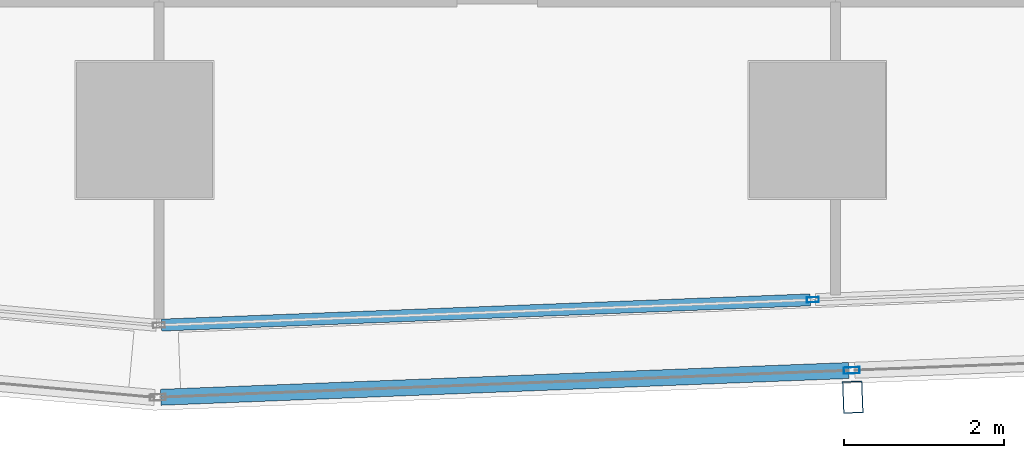
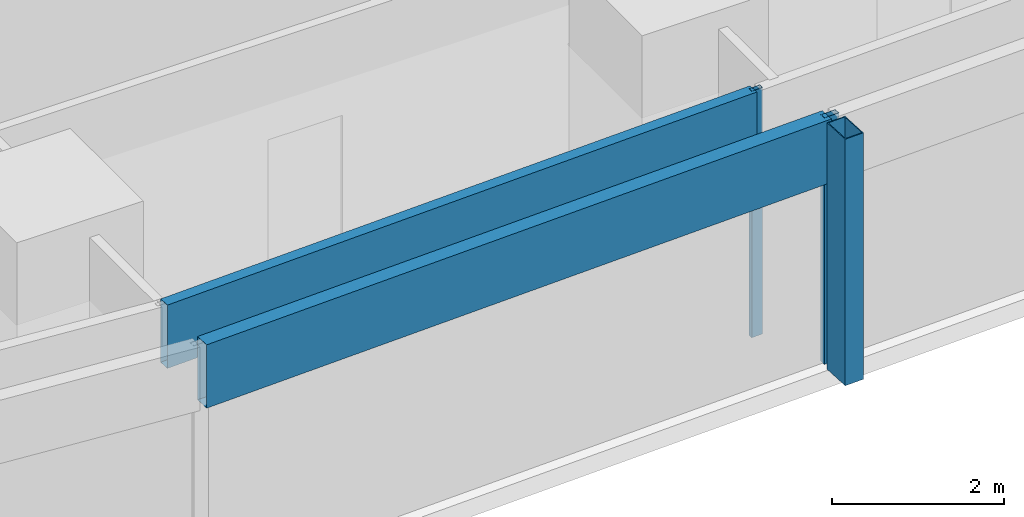
# One storey, part 6 of 40: 5 members, 2 elements without a shape of their own.
"""IFC4 building model written with IfcOpenShell, lengths in metres."""

from ifc_helpers import new_model, si_unit, direction, frame, origin, origin_2d, place, context, subcontext, project, spatial, hollow_rectangle, extrude, material, material_profile, profile_set, type_object, element, aggregate, save


model = new_model("IFC4")

# Units and contexts
model_context = context("Model", 3, precision=1e-05, world=origin(), true_north=direction((0.0, 1.0)))
body_context = subcontext(model_context, "Body", "Model", "MODEL_VIEW")
ifc_project = project(units=[si_unit("LENGTHUNIT", "METRE"), si_unit("AREAUNIT", "SQUARE_METRE"), si_unit("VOLUMEUNIT", "CUBIC_METRE"), si_unit("PLANEANGLEUNIT", "RADIAN"), si_unit("MASSUNIT", "GRAM", prefix="KILO")], contexts=[model_context])

# Site, building, storey
site_placement = place(None, origin())
site = spatial("IfcSite", under=ifc_project, at=site_placement, CompositionType="ELEMENT")
building_placement = place(site_placement, origin())
building = spatial("IfcBuilding", under=site, at=building_placement, Name="Rekha Terrace Tower", CompositionType="ELEMENT")
storey_placement = place(building_placement, frame((0.0, 0.0, 136.550048828125)))
storey = spatial("IfcBuildingStorey", under=building, at=storey_placement, Name="L34", CompositionType="ELEMENT", Elevation=136.550048828125)

# Curtain wall, member
ifc_material_1 = material(Name="Aluminium framing", Category="aluminium")
curtain_wall_type_1 = type_object("IfcCurtainWallType", Name="CW2 double skin outer glazing", PredefinedType="USERDEFINED", material=ifc_material_1)
curtain_wall_1_placement = place(storey_placement, origin())
curtain_wall_1 = element("IfcCurtainWall", 1, at=curtain_wall_1_placement, inside=storey, type_object=curtain_wall_type_1, Name="CW2 double skin outer glazing", ObjectType="DOUBLE SKIN OUTER GLAZING", PredefinedType="USERDEFINED")
ifc_material_2 = material(Name="Steel S355 with fluorocarbon finish", Category="steel")
ifc_material_profile_1 = material_profile(ifc_material_2, hollow_rectangle(XDim=0.25, YDim=0.39990234375, WallThickness=0.012451171875, at=origin_2d()), Name="RHS400x250x12.5")
ifc_profile_set_1 = profile_set([ifc_material_profile_1], Name="Steel S355 with fluorocarbon finish")
member_type_1 = type_object("IfcMemberType", Name="BL1 facade blade RHS 400 x 250", PredefinedType="USERDEFINED", material=ifc_profile_set_1)
member_1_placement = place(storey_placement, frame((34.042236328125, 13.46435546875, 0.0), z_axis=(0.0, 0.0, 1.0), x_axis=(0.999243494356, 0.038890088543, 0.0)))
member_1 = element("IfcMember", 2, at=member_1_placement, type_object=member_type_1, Name="Facade blade", ObjectType="FACADE BLADE", PredefinedType="USERDEFINED", context=body_context, shape_type="SweptSolid", body=[
    extrude(hollow_rectangle(XDim=0.25, YDim=0.39990234375, WallThickness=0.012451171875, at=origin_2d()), origin(), (0.0, 0.0, 1.0), 3.5),
])

# Curtain wall, members
curtain_wall_type_2 = type_object("IfcCurtainWallType", Name="CW1 double skin inner glazing", PredefinedType="USERDEFINED", material=ifc_material_1)
curtain_wall_2_placement = place(storey_placement, origin())
curtain_wall_2 = element("IfcCurtainWall", 3, at=curtain_wall_2_placement, inside=storey, type_object=curtain_wall_type_2, Name="CW1 double skin inner glazing", ObjectType="DOUBLE SKIN INNER GLAZING", PredefinedType="USERDEFINED")
ifc_material_3 = material(Name="Aluminium mullion section", Category="aluminium")
ifc_material_profile_2 = material_profile(ifc_material_3, hollow_rectangle(XDim=0.06494140625, YDim=0.14990234375, WallThickness=0.00390625, at=origin_2d()), Name="AL RHS 65x150")
ifc_profile_set_2 = profile_set([ifc_material_profile_2], Name="Aluminium mullion section")
member_type_2 = type_object("IfcMemberType", Name="CW1 mullion RHS 65 x 150", PredefinedType="MULLION", material=ifc_profile_set_2)
member_2_placement = place(storey_placement, frame((33.5439453125, 14.680908203125, 0.0), z_axis=(0.0, 0.0, 1.0), x_axis=(-0.038889971345, 0.999243498917, 0.0)))
member_2 = element("IfcMember", 4, at=member_2_placement, type_object=member_type_2, Name="CW1 mullion 2", PredefinedType="MULLION", context=body_context, shape_type="SweptSolid", body=[
    extrude(hollow_rectangle(XDim=0.06494140625, YDim=0.14990234375, WallThickness=0.00390625, at=origin_2d()), origin(), (0.0, 0.0, 1.0), 3.5),
])
ifc_material_4 = material(Name="Insulated aluminium spandrel box", Category="aluminium")
ifc_material_profile_3 = material_profile(ifc_material_4, hollow_rectangle(XDim=0.14990234375, YDim=0.89990234375, WallThickness=0.0029296875, at=origin_2d()), Name="AL SPANDREL BOX 150x900")
ifc_profile_set_3 = profile_set([ifc_material_profile_3], Name="Insulated aluminium spandrel box")
member_type_3 = type_object("IfcMemberType", Name="CW1 spandrel transom 150 x 900", PredefinedType="USERDEFINED", material=ifc_profile_set_3)
member_3_placement = place(storey_placement, frame((25.412353515625, 14.364501953125, 3.050048828125), z_axis=(0.999243630757, 0.038886583689, 0.0), x_axis=(-0.038886583689, 0.999243630757, 0.0)))
member_3 = element("IfcMember", 5, at=member_3_placement, type_object=member_type_3, Name="CW1 spandrel transom 1", ObjectType="TRANSOM", PredefinedType="USERDEFINED", context=body_context, shape_type="SweptSolid", body=[
    extrude(hollow_rectangle(XDim=0.14990234375, YDim=0.89990234375, WallThickness=0.0029296875, at=origin_2d()), origin(), (0.0, 0.0, 1.0), 8.105224609375),
])
aggregate(curtain_wall_2, [member_2, member_3])

# Member
ifc_material_profile_4 = material_profile(ifc_material_3, hollow_rectangle(XDim=0.080078125, YDim=0.199951171875, WallThickness=0.00390625, at=origin_2d()), Name="AL RHS 80x200")
ifc_profile_set_4 = profile_set([ifc_material_profile_4], Name="Aluminium mullion section")
member_type_4 = type_object("IfcMemberType", Name="CW2 mullion RHS 80 x 200", PredefinedType="MULLION", material=ifc_profile_set_4)
member_4_placement = place(storey_placement, frame((34.029052734375, 13.799072265625, 0.0), z_axis=(0.0, 0.0, 1.0), x_axis=(-0.038889971345, 0.999243498917, 0.0)))
member_4 = element("IfcMember", 6, at=member_4_placement, type_object=member_type_4, Name="CW2 mullion 2", PredefinedType="MULLION", context=body_context, shape_type="SweptSolid", body=[
    extrude(hollow_rectangle(XDim=0.080078125, YDim=0.199951171875, WallThickness=0.00390625, at=origin_2d()), origin(), (0.0, 0.0, 1.0), 3.5),
])

ifc_material_profile_5 = material_profile(ifc_material_4, hollow_rectangle(XDim=0.199951171875, YDim=0.89990234375, WallThickness=0.0029296875, at=origin_2d()), Name="AL SPANDREL BOX 200x900")
ifc_profile_set_5 = profile_set([ifc_material_profile_5], Name="Insulated aluminium spandrel box")
member_type_5 = type_object("IfcMemberType", Name="CW2 spandrel transom 200 x 900", PredefinedType="USERDEFINED", material=ifc_profile_set_5)
member_5_placement = place(storey_placement, frame((25.404052734375, 13.46337890625, 3.050048828125), z_axis=(0.999243058466, 0.038901286707, 0.0), x_axis=(-0.038901286707, 0.999243058466, 0.0)))
member_5 = element("IfcMember", 7, at=member_5_placement, type_object=member_type_5, Name="CW2 spandrel transom 1", ObjectType="TRANSOM", PredefinedType="USERDEFINED", context=body_context, shape_type="SweptSolid", body=[
    extrude(hollow_rectangle(XDim=0.199951171875, YDim=0.89990234375, WallThickness=0.0029296875, at=origin_2d()), origin(), (0.0, 0.0, 1.0), 8.591796875),
])

aggregate(curtain_wall_1, [member_4, member_5, member_1])

save(model, "model.ifc")
